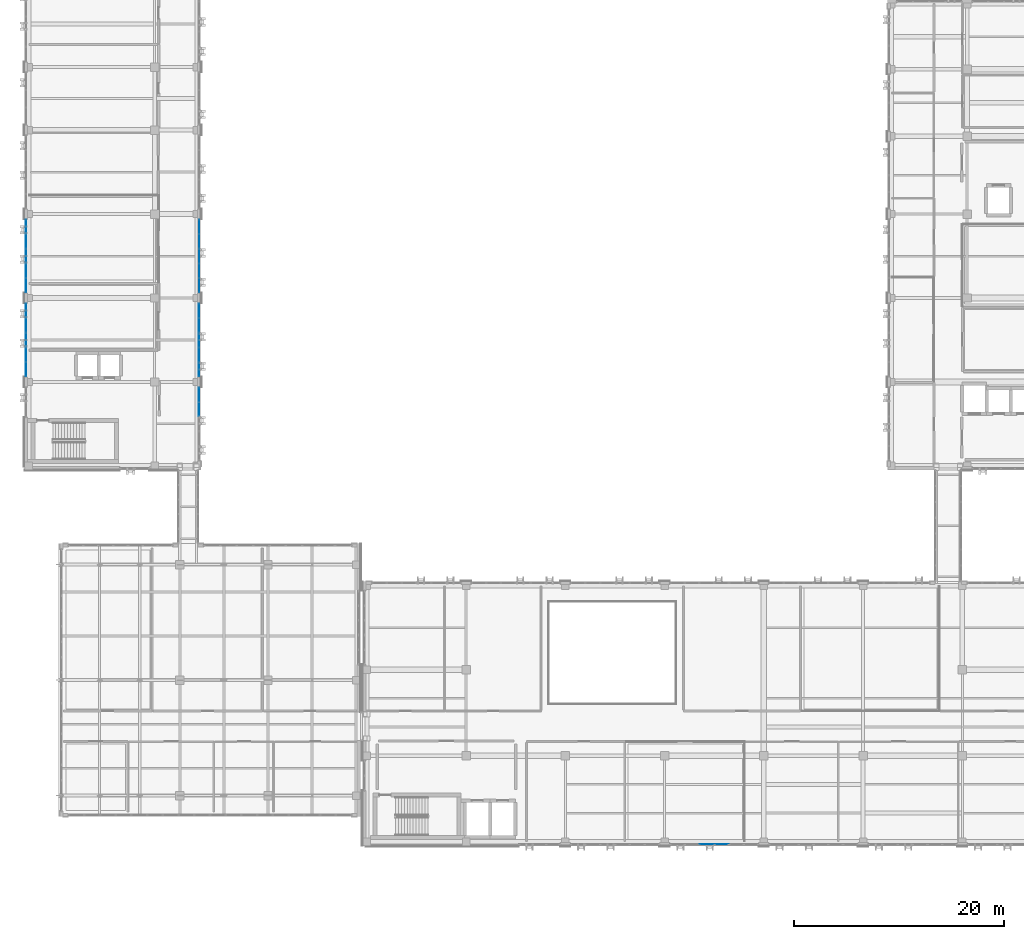
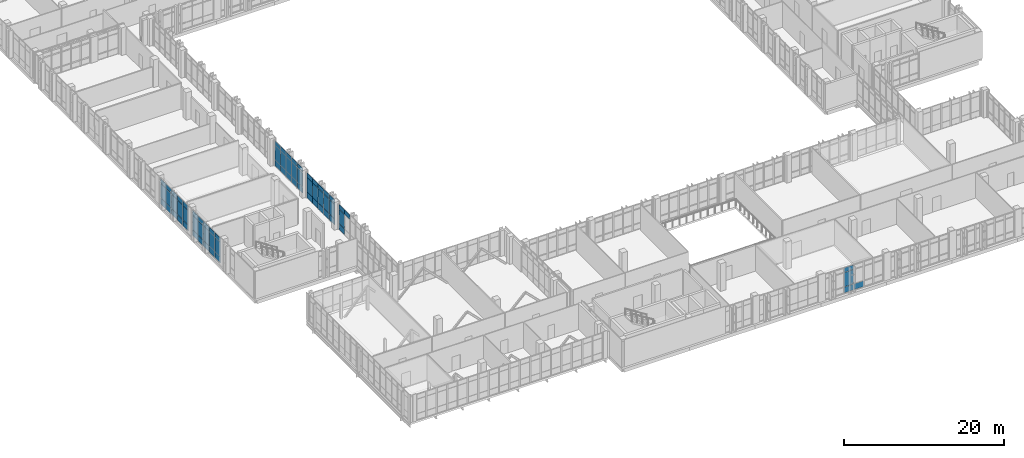
# One storey, part 135 of 193: 68 plates, 6 elements without a shape of their own.
"""IFC4 building model written with IfcOpenShell, lengths in metres."""

from ifc_helpers import new_model, si_unit, direction, frame, origin, origin_2d, place, context, subcontext, project, spatial, rectangle, extrude, material, layer, layer_set, type_object, element, aggregate, save


model = new_model("IFC4")

# Units and contexts
model_context = context("Model", 3, precision=1e-05, world=origin(), true_north=direction((0.0, 1.0)))
body_context = subcontext(model_context, "Body", "Model", "MODEL_VIEW")
ifc_project = project(units=[si_unit("LENGTHUNIT", "METRE"), si_unit("AREAUNIT", "SQUARE_METRE"), si_unit("VOLUMEUNIT", "CUBIC_METRE"), si_unit("PLANEANGLEUNIT", "RADIAN"), si_unit("MASSUNIT", "GRAM", prefix="KILO")], contexts=[model_context])

# Site, building, storey
site_placement = place(None, origin())
site = spatial("IfcSite", under=ifc_project, at=site_placement, CompositionType="ELEMENT")
building_placement = place(site_placement, origin())
building = spatial("IfcBuilding", under=site, at=building_placement, Name="Qalavern Law Courts", CompositionType="ELEMENT")
storey_placement = place(building_placement, frame((0.0, 0.0, 10.199951171875)))
storey = spatial("IfcBuildingStorey", under=building, at=storey_placement, Name="L02", CompositionType="ELEMENT", Elevation=10.199951171875)

# Curtain wall, plates
ifc_material_1 = material(Name="Anodised aluminium and insulated glazing", Category="aluminium")
ifc_layer_1 = layer(ifc_material_1, 0.18505859375)
ifc_layer_set_1 = layer_set([ifc_layer_1], Name="Anodised aluminium and insulated glazing")
curtain_wall_type_1 = type_object("IfcCurtainWallType", Name="ENV-CW-HALL", PredefinedType="USERDEFINED", material=ifc_layer_set_1)
curtain_wall_1_placement = place(storey_placement, origin())
curtain_wall_1 = element("IfcCurtainWall", 1, at=curtain_wall_1_placement, inside=storey, type_object=curtain_wall_type_1, Name="V2 unitised curtain wall L02 south 3", ObjectType="UNITISED CURTAIN WALL", PredefinedType="USERDEFINED")
ifc_material_2 = material(Name="Insulated low-E acoustic glazing", Category="glass")
ifc_layer_2 = layer(ifc_material_2, 0.02392578125)
ifc_layer_set_2 = layer_set([ifc_layer_2], Name="Insulated low-E acoustic glazing")
plate_type_1 = type_object("IfcPlateType", Name="ENV-CWP-24", PredefinedType="CURTAIN_PANEL", material=ifc_layer_set_2)
plate_1_placement = place(storey_placement, frame((67.00537109375, 5.35498046875, 0.048095703125), z_axis=(0.0, 0.0, 1.0), x_axis=(1.0, 0.0, 0.0)))
plate_1 = element("IfcPlate", 2, at=plate_1_placement, type_object=plate_type_1, Name="CW-02 panel 3.1", PredefinedType="CURTAIN_PANEL", context=body_context, shape_type="SweptSolid", body=[
    extrude(rectangle(XDim=1.361083984375, YDim=0.02392578125, at=origin_2d()), origin(), (0.0, 0.0, 1.0), 0.8779296875),
])
plate_2_placement = place(storey_placement, frame((67.00537109375, 5.35498046875, 0.97412109375), z_axis=(0.0, 0.0, 1.0), x_axis=(1.0, 0.0, 0.0)))
plate_2 = element("IfcPlate", 3, at=plate_2_placement, type_object=plate_type_1, Name="CW-02 panel 3.2", PredefinedType="CURTAIN_PANEL", context=body_context, shape_type="SweptSolid", body=[
    extrude(rectangle(XDim=1.361083984375, YDim=0.02392578125, at=origin_2d()), origin(), (0.0, 0.0, 1.0), 2.1669921875),
])
plate_3_placement = place(storey_placement, frame((67.00537109375, 5.35498046875, 3.18896484375), z_axis=(0.0, 0.0, 1.0), x_axis=(1.0, 0.0, 0.0)))
plate_3 = element("IfcPlate", 4, at=plate_3_placement, type_object=plate_type_1, Name="CW-02 panel 3.3", PredefinedType="CURTAIN_PANEL", context=body_context, shape_type="SweptSolid", body=[
    extrude(rectangle(XDim=1.361083984375, YDim=0.02392578125, at=origin_2d()), origin(), (0.0, 0.0, 1.0), 0.677978515625),
])
plate_4_placement = place(storey_placement, frame((68.41455078125, 5.35498046875, 0.048095703125), z_axis=(0.0, 0.0, 1.0), x_axis=(1.0, 0.0, 0.0)))
plate_4 = element("IfcPlate", 5, at=plate_4_placement, type_object=plate_type_1, Name="CW-02 panel 4.1", PredefinedType="CURTAIN_PANEL", context=body_context, shape_type="SweptSolid", body=[
    extrude(rectangle(XDim=1.361083984375, YDim=0.02392578125, at=origin_2d()), origin(), (0.0, 0.0, 1.0), 0.8779296875),
])
aggregate(curtain_wall_1, [plate_1, plate_2, plate_3, plate_4])

ifc_layer_3 = layer(ifc_material_1, 0.172119140625)
ifc_layer_set_3 = layer_set([ifc_layer_3], Name="Anodised aluminium and insulated glazing")
curtain_wall_type_2 = type_object("IfcCurtainWallType", Name="ENV-CW-COURT", PredefinedType="USERDEFINED", material=ifc_layer_set_3)
curtain_wall_2_placement = place(storey_placement, origin())
curtain_wall_2 = element("IfcCurtainWall", 6, at=curtain_wall_2_placement, inside=storey, type_object=curtain_wall_type_2, Name="V3 unitised curtain wall L02 east 3", ObjectType="UNITISED CURTAIN WALL", PredefinedType="USERDEFINED")
plate_5_placement = place(storey_placement, frame((18.64501953125, 58.612060546875, 0.048095703125), z_axis=(0.0, 0.0, 1.0), x_axis=(0.0, 1.0, 0.0)))
plate_5 = element("IfcPlate", 7, at=plate_5_placement, type_object=plate_type_1, Name="CW-03 panel 1.1", PredefinedType="CURTAIN_PANEL", context=body_context, shape_type="SweptSolid", body=[
    extrude(rectangle(XDim=1.327880859375, YDim=0.02392578125, at=origin_2d()), origin(), (0.0, 0.0, 1.0), 0.8779296875),
])
plate_6_placement = place(storey_placement, frame((18.64501953125, 58.612060546875, 0.97412109375), z_axis=(0.0, 0.0, 1.0), x_axis=(0.0, 1.0, 0.0)))
plate_6 = element("IfcPlate", 8, at=plate_6_placement, type_object=plate_type_1, Name="CW-03 panel 1.2", PredefinedType="CURTAIN_PANEL", context=body_context, shape_type="SweptSolid", body=[
    extrude(rectangle(XDim=1.327880859375, YDim=0.02392578125, at=origin_2d()), origin(), (0.0, 0.0, 1.0), 2.1669921875),
])
plate_7_placement = place(storey_placement, frame((18.64501953125, 58.612060546875, 3.18896484375), z_axis=(0.0, 0.0, 1.0), x_axis=(0.0, 1.0, 0.0)))
plate_7 = element("IfcPlate", 9, at=plate_7_placement, type_object=plate_type_1, Name="CW-03 panel 1.3", PredefinedType="CURTAIN_PANEL", context=body_context, shape_type="SweptSolid", body=[
    extrude(rectangle(XDim=1.327880859375, YDim=0.02392578125, at=origin_2d()), origin(), (0.0, 0.0, 1.0), 0.677978515625),
])
plate_8_placement = place(storey_placement, frame((18.64501953125, 60.0, 0.048095703125), z_axis=(0.0, 0.0, 1.0), x_axis=(0.0, 1.0, 0.0)))
plate_8 = element("IfcPlate", 10, at=plate_8_placement, type_object=plate_type_1, Name="CW-03 panel 2.1", PredefinedType="CURTAIN_PANEL", context=body_context, shape_type="SweptSolid", body=[
    extrude(rectangle(XDim=1.35205078125, YDim=0.02392578125, at=origin_2d()), origin(), (0.0, 0.0, 1.0), 0.8779296875),
])
plate_9_placement = place(storey_placement, frame((18.64501953125, 60.0, 0.97412109375), z_axis=(0.0, 0.0, 1.0), x_axis=(0.0, 1.0, 0.0)))
plate_9 = element("IfcPlate", 11, at=plate_9_placement, type_object=plate_type_1, Name="CW-03 panel 2.2", PredefinedType="CURTAIN_PANEL", context=body_context, shape_type="SweptSolid", body=[
    extrude(rectangle(XDim=1.35205078125, YDim=0.02392578125, at=origin_2d()), origin(), (0.0, 0.0, 1.0), 2.1669921875),
])
plate_10_placement = place(storey_placement, frame((18.64501953125, 60.0, 3.18896484375), z_axis=(0.0, 0.0, 1.0), x_axis=(0.0, 1.0, 0.0)))
plate_10 = element("IfcPlate", 12, at=plate_10_placement, type_object=plate_type_1, Name="CW-03 panel 2.3", PredefinedType="CURTAIN_PANEL", context=body_context, shape_type="SweptSolid", body=[
    extrude(rectangle(XDim=1.35205078125, YDim=0.02392578125, at=origin_2d()), origin(), (0.0, 0.0, 1.0), 0.677978515625),
])
plate_11_placement = place(storey_placement, frame((18.64501953125, 61.39990234375, 0.048095703125), z_axis=(0.0, 0.0, 1.0), x_axis=(0.0, 1.0, 0.0)))
plate_11 = element("IfcPlate", 13, at=plate_11_placement, type_object=plate_type_1, Name="CW-03 panel 3.1", PredefinedType="CURTAIN_PANEL", context=body_context, shape_type="SweptSolid", body=[
    extrude(rectangle(XDim=1.35205078125, YDim=0.02392578125, at=origin_2d()), origin(), (0.0, 0.0, 1.0), 0.8779296875),
])
plate_12_placement = place(storey_placement, frame((18.64501953125, 61.39990234375, 0.97412109375), z_axis=(0.0, 0.0, 1.0), x_axis=(0.0, 1.0, 0.0)))
plate_12 = element("IfcPlate", 14, at=plate_12_placement, type_object=plate_type_1, Name="CW-03 panel 3.2", PredefinedType="CURTAIN_PANEL", context=body_context, shape_type="SweptSolid", body=[
    extrude(rectangle(XDim=1.35205078125, YDim=0.02392578125, at=origin_2d()), origin(), (0.0, 0.0, 1.0), 2.1669921875),
])
plate_13_placement = place(storey_placement, frame((18.64501953125, 61.39990234375, 3.18896484375), z_axis=(0.0, 0.0, 1.0), x_axis=(0.0, 1.0, 0.0)))
plate_13 = element("IfcPlate", 15, at=plate_13_placement, type_object=plate_type_1, Name="CW-03 panel 3.3", PredefinedType="CURTAIN_PANEL", context=body_context, shape_type="SweptSolid", body=[
    extrude(rectangle(XDim=1.35205078125, YDim=0.02392578125, at=origin_2d()), origin(), (0.0, 0.0, 1.0), 0.677978515625),
])
plate_14_placement = place(storey_placement, frame((18.64501953125, 62.800048828125, 0.048095703125), z_axis=(0.0, 0.0, 1.0), x_axis=(0.0, 1.0, 0.0)))
plate_14 = element("IfcPlate", 16, at=plate_14_placement, type_object=plate_type_1, Name="CW-03 panel 4.1", PredefinedType="CURTAIN_PANEL", context=body_context, shape_type="SweptSolid", body=[
    extrude(rectangle(XDim=1.35205078125, YDim=0.02392578125, at=origin_2d()), origin(), (0.0, 0.0, 1.0), 0.8779296875),
])
plate_15_placement = place(storey_placement, frame((18.64501953125, 62.800048828125, 0.97412109375), z_axis=(0.0, 0.0, 1.0), x_axis=(0.0, 1.0, 0.0)))
plate_15 = element("IfcPlate", 17, at=plate_15_placement, type_object=plate_type_1, Name="CW-03 panel 4.2", PredefinedType="CURTAIN_PANEL", context=body_context, shape_type="SweptSolid", body=[
    extrude(rectangle(XDim=1.35205078125, YDim=0.02392578125, at=origin_2d()), origin(), (0.0, 0.0, 1.0), 2.1669921875),
])
plate_16_placement = place(storey_placement, frame((18.64501953125, 62.800048828125, 3.18896484375), z_axis=(0.0, 0.0, 1.0), x_axis=(0.0, 1.0, 0.0)))
plate_16 = element("IfcPlate", 18, at=plate_16_placement, type_object=plate_type_1, Name="CW-03 panel 4.3", PredefinedType="CURTAIN_PANEL", context=body_context, shape_type="SweptSolid", body=[
    extrude(rectangle(XDim=1.35205078125, YDim=0.02392578125, at=origin_2d()), origin(), (0.0, 0.0, 1.0), 0.677978515625),
])
plate_17_placement = place(storey_placement, frame((18.64501953125, 64.18798828125, 0.048095703125), z_axis=(0.0, 0.0, 1.0), x_axis=(0.0, 1.0, 0.0)))
plate_17 = element("IfcPlate", 19, at=plate_17_placement, type_object=plate_type_1, Name="CW-03 panel 5.1", PredefinedType="CURTAIN_PANEL", context=body_context, shape_type="SweptSolid", body=[
    extrude(rectangle(XDim=1.327880859375, YDim=0.02392578125, at=origin_2d()), origin(), (0.0, 0.0, 1.0), 0.8779296875),
])
plate_18_placement = place(storey_placement, frame((18.64501953125, 64.18798828125, 0.97412109375), z_axis=(0.0, 0.0, 1.0), x_axis=(0.0, 1.0, 0.0)))
plate_18 = element("IfcPlate", 20, at=plate_18_placement, type_object=plate_type_1, Name="CW-03 panel 5.2", PredefinedType="CURTAIN_PANEL", context=body_context, shape_type="SweptSolid", body=[
    extrude(rectangle(XDim=1.327880859375, YDim=0.02392578125, at=origin_2d()), origin(), (0.0, 0.0, 1.0), 2.1669921875),
])
plate_19_placement = place(storey_placement, frame((18.64501953125, 64.18798828125, 3.18896484375), z_axis=(0.0, 0.0, 1.0), x_axis=(0.0, 1.0, 0.0)))
plate_19 = element("IfcPlate", 21, at=plate_19_placement, type_object=plate_type_1, Name="CW-03 panel 5.3", PredefinedType="CURTAIN_PANEL", context=body_context, shape_type="SweptSolid", body=[
    extrude(rectangle(XDim=1.327880859375, YDim=0.02392578125, at=origin_2d()), origin(), (0.0, 0.0, 1.0), 0.677978515625),
])
aggregate(curtain_wall_2, [plate_5, plate_6, plate_7, plate_8, plate_9, plate_10, plate_11, plate_12, plate_13, plate_14, plate_15, plate_16, plate_17, plate_18, plate_19])

curtain_wall_3_placement = place(storey_placement, origin())
curtain_wall_3 = element("IfcCurtainWall", 22, at=curtain_wall_3_placement, inside=storey, type_object=curtain_wall_type_2, Name="V3 unitised curtain wall L02 west 5", ObjectType="UNITISED CURTAIN WALL", PredefinedType="USERDEFINED")
ifc_layer_4 = layer(ifc_material_2, 0.031982421875)
ifc_layer_set_4 = layer_set([ifc_layer_4], Name="Insulated low-E acoustic glazing")
plate_type_2 = type_object("IfcPlateType", Name="ENV-CWP-32", PredefinedType="CURTAIN_PANEL", material=ifc_layer_set_4)
plate_20_placement = place(storey_placement, frame((2.155029296875, 64.18798828125, 0.048095703125), z_axis=(0.0, 0.0, 1.0), x_axis=(0.0, -1.0, 0.0)))
plate_20 = element("IfcPlate", 23, at=plate_20_placement, type_object=plate_type_2, Name="CW-03 panel 1.1", PredefinedType="CURTAIN_PANEL", context=body_context, shape_type="SweptSolid", body=[
    extrude(rectangle(XDim=1.327880859375, YDim=0.031982421875, at=origin_2d()), origin(), (0.0, 0.0, 1.0), 0.8779296875),
])
plate_21_placement = place(storey_placement, frame((2.155029296875, 64.18798828125, 0.97412109375), z_axis=(0.0, 0.0, 1.0), x_axis=(0.0, -1.0, 0.0)))
plate_21 = element("IfcPlate", 24, at=plate_21_placement, type_object=plate_type_2, Name="CW-03 panel 1.2", PredefinedType="CURTAIN_PANEL", context=body_context, shape_type="SweptSolid", body=[
    extrude(rectangle(XDim=1.327880859375, YDim=0.031982421875, at=origin_2d()), origin(), (0.0, 0.0, 1.0), 2.1669921875),
])
plate_22_placement = place(storey_placement, frame((2.155029296875, 64.18798828125, 3.18896484375), z_axis=(0.0, 0.0, 1.0), x_axis=(0.0, -1.0, 0.0)))
plate_22 = element("IfcPlate", 25, at=plate_22_placement, type_object=plate_type_2, Name="CW-03 panel 1.3", PredefinedType="CURTAIN_PANEL", context=body_context, shape_type="SweptSolid", body=[
    extrude(rectangle(XDim=1.327880859375, YDim=0.031982421875, at=origin_2d()), origin(), (0.0, 0.0, 1.0), 0.677978515625),
])
plate_23_placement = place(storey_placement, frame((2.155029296875, 62.800048828125, 0.048095703125), z_axis=(0.0, 0.0, 1.0), x_axis=(0.0, -1.0, 0.0)))
plate_23 = element("IfcPlate", 26, at=plate_23_placement, type_object=plate_type_2, Name="CW-03 panel 2.1", PredefinedType="CURTAIN_PANEL", context=body_context, shape_type="SweptSolid", body=[
    extrude(rectangle(XDim=1.35205078125, YDim=0.031982421875, at=origin_2d()), origin(), (0.0, 0.0, 1.0), 0.8779296875),
])
plate_24_placement = place(storey_placement, frame((2.155029296875, 62.800048828125, 0.97412109375), z_axis=(0.0, 0.0, 1.0), x_axis=(0.0, -1.0, 0.0)))
plate_24 = element("IfcPlate", 27, at=plate_24_placement, type_object=plate_type_2, Name="CW-03 panel 2.2", PredefinedType="CURTAIN_PANEL", context=body_context, shape_type="SweptSolid", body=[
    extrude(rectangle(XDim=1.35205078125, YDim=0.031982421875, at=origin_2d()), origin(), (0.0, 0.0, 1.0), 2.1669921875),
])
plate_25_placement = place(storey_placement, frame((2.155029296875, 62.800048828125, 3.18896484375), z_axis=(0.0, 0.0, 1.0), x_axis=(0.0, -1.0, 0.0)))
plate_25 = element("IfcPlate", 28, at=plate_25_placement, type_object=plate_type_2, Name="CW-03 panel 2.3", PredefinedType="CURTAIN_PANEL", context=body_context, shape_type="SweptSolid", body=[
    extrude(rectangle(XDim=1.35205078125, YDim=0.031982421875, at=origin_2d()), origin(), (0.0, 0.0, 1.0), 0.677978515625),
])
plate_26_placement = place(storey_placement, frame((2.155029296875, 61.39990234375, 0.048095703125), z_axis=(0.0, 0.0, 1.0), x_axis=(0.0, -1.0, 0.0)))
plate_26 = element("IfcPlate", 29, at=plate_26_placement, type_object=plate_type_2, Name="CW-03 panel 3.1", PredefinedType="CURTAIN_PANEL", context=body_context, shape_type="SweptSolid", body=[
    extrude(rectangle(XDim=1.35205078125, YDim=0.031982421875, at=origin_2d()), origin(), (0.0, 0.0, 1.0), 0.8779296875),
])
plate_27_placement = place(storey_placement, frame((2.155029296875, 61.39990234375, 0.97412109375), z_axis=(0.0, 0.0, 1.0), x_axis=(0.0, -1.0, 0.0)))
plate_27 = element("IfcPlate", 30, at=plate_27_placement, type_object=plate_type_2, Name="CW-03 panel 3.2", PredefinedType="CURTAIN_PANEL", context=body_context, shape_type="SweptSolid", body=[
    extrude(rectangle(XDim=1.35205078125, YDim=0.031982421875, at=origin_2d()), origin(), (0.0, 0.0, 1.0), 2.1669921875),
])
plate_28_placement = place(storey_placement, frame((2.155029296875, 61.39990234375, 3.18896484375), z_axis=(0.0, 0.0, 1.0), x_axis=(0.0, -1.0, 0.0)))
plate_28 = element("IfcPlate", 31, at=plate_28_placement, type_object=plate_type_2, Name="CW-03 panel 3.3", PredefinedType="CURTAIN_PANEL", context=body_context, shape_type="SweptSolid", body=[
    extrude(rectangle(XDim=1.35205078125, YDim=0.031982421875, at=origin_2d()), origin(), (0.0, 0.0, 1.0), 0.677978515625),
])
plate_29_placement = place(storey_placement, frame((2.155029296875, 60.0, 0.048095703125), z_axis=(0.0, 0.0, 1.0), x_axis=(0.0, -1.0, 0.0)))
plate_29 = element("IfcPlate", 32, at=plate_29_placement, type_object=plate_type_2, Name="CW-03 panel 4.1", PredefinedType="CURTAIN_PANEL", context=body_context, shape_type="SweptSolid", body=[
    extrude(rectangle(XDim=1.35205078125, YDim=0.031982421875, at=origin_2d()), origin(), (0.0, 0.0, 1.0), 0.8779296875),
])
plate_30_placement = place(storey_placement, frame((2.155029296875, 60.0, 0.97412109375), z_axis=(0.0, 0.0, 1.0), x_axis=(0.0, -1.0, 0.0)))
plate_30 = element("IfcPlate", 33, at=plate_30_placement, type_object=plate_type_2, Name="CW-03 panel 4.2", PredefinedType="CURTAIN_PANEL", context=body_context, shape_type="SweptSolid", body=[
    extrude(rectangle(XDim=1.35205078125, YDim=0.031982421875, at=origin_2d()), origin(), (0.0, 0.0, 1.0), 2.1669921875),
])
plate_31_placement = place(storey_placement, frame((2.155029296875, 60.0, 3.18896484375), z_axis=(0.0, 0.0, 1.0), x_axis=(0.0, -1.0, 0.0)))
plate_31 = element("IfcPlate", 34, at=plate_31_placement, type_object=plate_type_2, Name="CW-03 panel 4.3", PredefinedType="CURTAIN_PANEL", context=body_context, shape_type="SweptSolid", body=[
    extrude(rectangle(XDim=1.35205078125, YDim=0.031982421875, at=origin_2d()), origin(), (0.0, 0.0, 1.0), 0.677978515625),
])
plate_32_placement = place(storey_placement, frame((2.155029296875, 58.612060546875, 0.048095703125), z_axis=(0.0, 0.0, 1.0), x_axis=(0.0, -1.0, 0.0)))
plate_32 = element("IfcPlate", 35, at=plate_32_placement, type_object=plate_type_2, Name="CW-03 panel 5.1", PredefinedType="CURTAIN_PANEL", context=body_context, shape_type="SweptSolid", body=[
    extrude(rectangle(XDim=1.327880859375, YDim=0.031982421875, at=origin_2d()), origin(), (0.0, 0.0, 1.0), 0.8779296875),
])
plate_33_placement = place(storey_placement, frame((2.155029296875, 58.612060546875, 0.97412109375), z_axis=(0.0, 0.0, 1.0), x_axis=(0.0, -1.0, 0.0)))
plate_33 = element("IfcPlate", 36, at=plate_33_placement, type_object=plate_type_2, Name="CW-03 panel 5.2", PredefinedType="CURTAIN_PANEL", context=body_context, shape_type="SweptSolid", body=[
    extrude(rectangle(XDim=1.327880859375, YDim=0.031982421875, at=origin_2d()), origin(), (0.0, 0.0, 1.0), 2.1669921875),
])
plate_34_placement = place(storey_placement, frame((2.155029296875, 58.612060546875, 3.18896484375), z_axis=(0.0, 0.0, 1.0), x_axis=(0.0, -1.0, 0.0)))
plate_34 = element("IfcPlate", 37, at=plate_34_placement, type_object=plate_type_2, Name="CW-03 panel 5.3", PredefinedType="CURTAIN_PANEL", context=body_context, shape_type="SweptSolid", body=[
    extrude(rectangle(XDim=1.327880859375, YDim=0.031982421875, at=origin_2d()), origin(), (0.0, 0.0, 1.0), 0.677978515625),
])
aggregate(curtain_wall_3, [plate_20, plate_21, plate_22, plate_23, plate_24, plate_25, plate_26, plate_27, plate_28, plate_29, plate_30, plate_31, plate_32, plate_33, plate_34])

curtain_wall_4_placement = place(storey_placement, origin())
curtain_wall_4 = element("IfcCurtainWall", 38, at=curtain_wall_4_placement, inside=storey, type_object=curtain_wall_type_2, Name="V3 unitised curtain wall L02 west 6", ObjectType="UNITISED CURTAIN WALL", PredefinedType="USERDEFINED")
ifc_layer_5 = layer(ifc_material_2, 0.035888671875)
ifc_layer_set_5 = layer_set([ifc_layer_5], Name="Insulated low-E acoustic glazing")
plate_type_3 = type_object("IfcPlateType", Name="ENV-CWP-36", PredefinedType="CURTAIN_PANEL", material=ifc_layer_set_5)
plate_35_placement = place(storey_placement, frame((2.155029296875, 56.18798828125, 0.048095703125), z_axis=(0.0, 0.0, 1.0), x_axis=(0.0, -1.0, 0.0)))
plate_35 = element("IfcPlate", 39, at=plate_35_placement, type_object=plate_type_3, Name="CW-03 panel 1.1", PredefinedType="CURTAIN_PANEL", context=body_context, shape_type="SweptSolid", body=[
    extrude(rectangle(XDim=1.327880859375, YDim=0.035888671875, at=origin_2d()), origin(), (0.0, 0.0, 1.0), 0.8779296875),
])
plate_36_placement = place(storey_placement, frame((2.155029296875, 56.18798828125, 0.97412109375), z_axis=(0.0, 0.0, 1.0), x_axis=(0.0, -1.0, 0.0)))
plate_36 = element("IfcPlate", 40, at=plate_36_placement, type_object=plate_type_3, Name="CW-03 panel 1.2", PredefinedType="CURTAIN_PANEL", context=body_context, shape_type="SweptSolid", body=[
    extrude(rectangle(XDim=1.327880859375, YDim=0.035888671875, at=origin_2d()), origin(), (0.0, 0.0, 1.0), 2.1669921875),
])
plate_37_placement = place(storey_placement, frame((2.155029296875, 56.18798828125, 3.18896484375), z_axis=(0.0, 0.0, 1.0), x_axis=(0.0, -1.0, 0.0)))
plate_37 = element("IfcPlate", 41, at=plate_37_placement, type_object=plate_type_3, Name="CW-03 panel 1.3", PredefinedType="CURTAIN_PANEL", context=body_context, shape_type="SweptSolid", body=[
    extrude(rectangle(XDim=1.327880859375, YDim=0.035888671875, at=origin_2d()), origin(), (0.0, 0.0, 1.0), 0.677978515625),
])
plate_38_placement = place(storey_placement, frame((2.155029296875, 54.800048828125, 0.048095703125), z_axis=(0.0, 0.0, 1.0), x_axis=(0.0, -1.0, 0.0)))
plate_38 = element("IfcPlate", 42, at=plate_38_placement, type_object=plate_type_3, Name="CW-03 panel 2.1", PredefinedType="CURTAIN_PANEL", context=body_context, shape_type="SweptSolid", body=[
    extrude(rectangle(XDim=1.35205078125, YDim=0.035888671875, at=origin_2d()), origin(), (0.0, 0.0, 1.0), 0.8779296875),
])
plate_39_placement = place(storey_placement, frame((2.155029296875, 54.800048828125, 0.97412109375), z_axis=(0.0, 0.0, 1.0), x_axis=(0.0, -1.0, 0.0)))
plate_39 = element("IfcPlate", 43, at=plate_39_placement, type_object=plate_type_3, Name="CW-03 panel 2.2", PredefinedType="CURTAIN_PANEL", context=body_context, shape_type="SweptSolid", body=[
    extrude(rectangle(XDim=1.35205078125, YDim=0.035888671875, at=origin_2d()), origin(), (0.0, 0.0, 1.0), 2.1669921875),
])
plate_40_placement = place(storey_placement, frame((2.155029296875, 54.800048828125, 3.18896484375), z_axis=(0.0, 0.0, 1.0), x_axis=(0.0, -1.0, 0.0)))
plate_40 = element("IfcPlate", 44, at=plate_40_placement, type_object=plate_type_3, Name="CW-03 panel 2.3", PredefinedType="CURTAIN_PANEL", context=body_context, shape_type="SweptSolid", body=[
    extrude(rectangle(XDim=1.35205078125, YDim=0.035888671875, at=origin_2d()), origin(), (0.0, 0.0, 1.0), 0.677978515625),
])
plate_41_placement = place(storey_placement, frame((2.155029296875, 53.39990234375, 0.048095703125), z_axis=(0.0, 0.0, 1.0), x_axis=(0.0, -1.0, 0.0)))
plate_41 = element("IfcPlate", 45, at=plate_41_placement, type_object=plate_type_3, Name="CW-03 panel 3.1", PredefinedType="CURTAIN_PANEL", context=body_context, shape_type="SweptSolid", body=[
    extrude(rectangle(XDim=1.35205078125, YDim=0.035888671875, at=origin_2d()), origin(), (0.0, 0.0, 1.0), 0.8779296875),
])
plate_42_placement = place(storey_placement, frame((2.155029296875, 53.39990234375, 0.97412109375), z_axis=(0.0, 0.0, 1.0), x_axis=(0.0, -1.0, 0.0)))
plate_42 = element("IfcPlate", 46, at=plate_42_placement, type_object=plate_type_3, Name="CW-03 panel 3.2", PredefinedType="CURTAIN_PANEL", context=body_context, shape_type="SweptSolid", body=[
    extrude(rectangle(XDim=1.35205078125, YDim=0.035888671875, at=origin_2d()), origin(), (0.0, 0.0, 1.0), 2.1669921875),
])
plate_43_placement = place(storey_placement, frame((2.155029296875, 53.39990234375, 3.18896484375), z_axis=(0.0, 0.0, 1.0), x_axis=(0.0, -1.0, 0.0)))
plate_43 = element("IfcPlate", 47, at=plate_43_placement, type_object=plate_type_3, Name="CW-03 panel 3.3", PredefinedType="CURTAIN_PANEL", context=body_context, shape_type="SweptSolid", body=[
    extrude(rectangle(XDim=1.35205078125, YDim=0.035888671875, at=origin_2d()), origin(), (0.0, 0.0, 1.0), 0.677978515625),
])
plate_44_placement = place(storey_placement, frame((2.155029296875, 52.0, 0.048095703125), z_axis=(0.0, 0.0, 1.0), x_axis=(0.0, -1.0, 0.0)))
plate_44 = element("IfcPlate", 48, at=plate_44_placement, type_object=plate_type_3, Name="CW-03 panel 4.1", PredefinedType="CURTAIN_PANEL", context=body_context, shape_type="SweptSolid", body=[
    extrude(rectangle(XDim=1.35205078125, YDim=0.035888671875, at=origin_2d()), origin(), (0.0, 0.0, 1.0), 0.8779296875),
])
plate_45_placement = place(storey_placement, frame((2.155029296875, 52.0, 0.97412109375), z_axis=(0.0, 0.0, 1.0), x_axis=(0.0, -1.0, 0.0)))
plate_45 = element("IfcPlate", 49, at=plate_45_placement, type_object=plate_type_3, Name="CW-03 panel 4.2", PredefinedType="CURTAIN_PANEL", context=body_context, shape_type="SweptSolid", body=[
    extrude(rectangle(XDim=1.35205078125, YDim=0.035888671875, at=origin_2d()), origin(), (0.0, 0.0, 1.0), 2.1669921875),
])
plate_46_placement = place(storey_placement, frame((2.155029296875, 52.0, 3.18896484375), z_axis=(0.0, 0.0, 1.0), x_axis=(0.0, -1.0, 0.0)))
plate_46 = element("IfcPlate", 50, at=plate_46_placement, type_object=plate_type_3, Name="CW-03 panel 4.3", PredefinedType="CURTAIN_PANEL", context=body_context, shape_type="SweptSolid", body=[
    extrude(rectangle(XDim=1.35205078125, YDim=0.035888671875, at=origin_2d()), origin(), (0.0, 0.0, 1.0), 0.677978515625),
])
plate_47_placement = place(storey_placement, frame((2.155029296875, 50.612060546875, 0.048095703125), z_axis=(0.0, 0.0, 1.0), x_axis=(0.0, -1.0, 0.0)))
plate_47 = element("IfcPlate", 51, at=plate_47_placement, type_object=plate_type_3, Name="CW-03 panel 5.1", PredefinedType="CURTAIN_PANEL", context=body_context, shape_type="SweptSolid", body=[
    extrude(rectangle(XDim=1.327880859375, YDim=0.035888671875, at=origin_2d()), origin(), (0.0, 0.0, 1.0), 0.8779296875),
])
plate_48_placement = place(storey_placement, frame((2.155029296875, 50.612060546875, 0.97412109375), z_axis=(0.0, 0.0, 1.0), x_axis=(0.0, -1.0, 0.0)))
plate_48 = element("IfcPlate", 52, at=plate_48_placement, type_object=plate_type_3, Name="CW-03 panel 5.2", PredefinedType="CURTAIN_PANEL", context=body_context, shape_type="SweptSolid", body=[
    extrude(rectangle(XDim=1.327880859375, YDim=0.035888671875, at=origin_2d()), origin(), (0.0, 0.0, 1.0), 2.1669921875),
])
plate_49_placement = place(storey_placement, frame((2.155029296875, 50.612060546875, 3.18896484375), z_axis=(0.0, 0.0, 1.0), x_axis=(0.0, -1.0, 0.0)))
plate_49 = element("IfcPlate", 53, at=plate_49_placement, type_object=plate_type_3, Name="CW-03 panel 5.3", PredefinedType="CURTAIN_PANEL", context=body_context, shape_type="SweptSolid", body=[
    extrude(rectangle(XDim=1.327880859375, YDim=0.035888671875, at=origin_2d()), origin(), (0.0, 0.0, 1.0), 0.677978515625),
])
aggregate(curtain_wall_4, [plate_35, plate_36, plate_37, plate_38, plate_39, plate_40, plate_41, plate_42, plate_43, plate_44, plate_45, plate_46, plate_47, plate_48, plate_49])

curtain_wall_5_placement = place(storey_placement, origin())
curtain_wall_5 = element("IfcCurtainWall", 54, at=curtain_wall_5_placement, inside=storey, type_object=curtain_wall_type_2, Name="V3 unitised curtain wall L02 east 1", ObjectType="UNITISED CURTAIN WALL", PredefinedType="USERDEFINED")
ifc_layer_6 = layer(ifc_material_2, 0.048095703125)
ifc_layer_set_6 = layer_set([ifc_layer_6], Name="Insulated low-E acoustic glazing")
plate_type_4 = type_object("IfcPlateType", Name="ENV-CWP-48", PredefinedType="CURTAIN_PANEL", material=ifc_layer_set_6)
plate_50_placement = place(storey_placement, frame((18.64501953125, 46.805908203125, 3.18896484375), z_axis=(0.0, 0.0, 1.0), x_axis=(0.0, 1.0, 0.0)))
plate_50 = element("IfcPlate", 55, at=plate_50_placement, type_object=plate_type_4, Name="CW-03 panel 4.3", PredefinedType="CURTAIN_PANEL", context=body_context, shape_type="SweptSolid", body=[
    extrude(rectangle(XDim=1.347900390625, YDim=0.048095703125, at=origin_2d()), origin(), (0.0, 0.0, 1.0), 0.677978515625),
])
plate_51_placement = place(storey_placement, frame((18.64501953125, 48.18994140625, 0.048095703125), z_axis=(0.0, 0.0, 1.0), x_axis=(0.0, 1.0, 0.0)))
plate_51 = element("IfcPlate", 56, at=plate_51_placement, type_object=plate_type_4, Name="CW-03 panel 5.1", PredefinedType="CURTAIN_PANEL", context=body_context, shape_type="SweptSolid", body=[
    extrude(rectangle(XDim=1.323974609375, YDim=0.048095703125, at=origin_2d()), origin(), (0.0, 0.0, 1.0), 0.8779296875),
])
plate_52_placement = place(storey_placement, frame((18.64501953125, 48.18994140625, 0.97412109375), z_axis=(0.0, 0.0, 1.0), x_axis=(0.0, 1.0, 0.0)))
plate_52 = element("IfcPlate", 57, at=plate_52_placement, type_object=plate_type_4, Name="CW-03 panel 5.2", PredefinedType="CURTAIN_PANEL", context=body_context, shape_type="SweptSolid", body=[
    extrude(rectangle(XDim=1.323974609375, YDim=0.048095703125, at=origin_2d()), origin(), (0.0, 0.0, 1.0), 2.1669921875),
])
plate_53_placement = place(storey_placement, frame((18.64501953125, 48.18994140625, 3.18896484375), z_axis=(0.0, 0.0, 1.0), x_axis=(0.0, 1.0, 0.0)))
plate_53 = element("IfcPlate", 58, at=plate_53_placement, type_object=plate_type_4, Name="CW-03 panel 5.3", PredefinedType="CURTAIN_PANEL", context=body_context, shape_type="SweptSolid", body=[
    extrude(rectangle(XDim=1.323974609375, YDim=0.048095703125, at=origin_2d()), origin(), (0.0, 0.0, 1.0), 0.677978515625),
])
aggregate(curtain_wall_5, [plate_50, plate_51, plate_52, plate_53])

curtain_wall_6_placement = place(storey_placement, origin())
curtain_wall_6 = element("IfcCurtainWall", 59, at=curtain_wall_6_placement, inside=storey, type_object=curtain_wall_type_2, Name="V3 unitised curtain wall L02 east 2", ObjectType="UNITISED CURTAIN WALL", PredefinedType="USERDEFINED")
ifc_layer_7 = layer(ifc_material_2, 0.052001953125)
ifc_layer_set_7 = layer_set([ifc_layer_7], Name="Insulated low-E acoustic glazing")
plate_type_5 = type_object("IfcPlateType", Name="ENV-CWP-52", PredefinedType="CURTAIN_PANEL", material=ifc_layer_set_7)
plate_54_placement = place(storey_placement, frame((18.64501953125, 50.612060546875, 0.048095703125), z_axis=(0.0, 0.0, 1.0), x_axis=(0.0, 1.0, 0.0)))
plate_54 = element("IfcPlate", 60, at=plate_54_placement, type_object=plate_type_5, Name="CW-03 panel 1.1", PredefinedType="CURTAIN_PANEL", context=body_context, shape_type="SweptSolid", body=[
    extrude(rectangle(XDim=1.327880859375, YDim=0.052001953125, at=origin_2d()), origin(), (0.0, 0.0, 1.0), 0.8779296875),
])
plate_55_placement = place(storey_placement, frame((18.64501953125, 50.612060546875, 0.97412109375), z_axis=(0.0, 0.0, 1.0), x_axis=(0.0, 1.0, 0.0)))
plate_55 = element("IfcPlate", 61, at=plate_55_placement, type_object=plate_type_5, Name="CW-03 panel 1.2", PredefinedType="CURTAIN_PANEL", context=body_context, shape_type="SweptSolid", body=[
    extrude(rectangle(XDim=1.327880859375, YDim=0.052001953125, at=origin_2d()), origin(), (0.0, 0.0, 1.0), 2.1669921875),
])
plate_56_placement = place(storey_placement, frame((18.64501953125, 50.612060546875, 3.18896484375), z_axis=(0.0, 0.0, 1.0), x_axis=(0.0, 1.0, 0.0)))
plate_56 = element("IfcPlate", 62, at=plate_56_placement, type_object=plate_type_5, Name="CW-03 panel 1.3", PredefinedType="CURTAIN_PANEL", context=body_context, shape_type="SweptSolid", body=[
    extrude(rectangle(XDim=1.327880859375, YDim=0.052001953125, at=origin_2d()), origin(), (0.0, 0.0, 1.0), 0.677978515625),
])
plate_57_placement = place(storey_placement, frame((18.64501953125, 52.0, 0.048095703125), z_axis=(0.0, 0.0, 1.0), x_axis=(0.0, 1.0, 0.0)))
plate_57 = element("IfcPlate", 63, at=plate_57_placement, type_object=plate_type_5, Name="CW-03 panel 2.1", PredefinedType="CURTAIN_PANEL", context=body_context, shape_type="SweptSolid", body=[
    extrude(rectangle(XDim=1.35205078125, YDim=0.052001953125, at=origin_2d()), origin(), (0.0, 0.0, 1.0), 0.8779296875),
])
plate_58_placement = place(storey_placement, frame((18.64501953125, 52.0, 0.97412109375), z_axis=(0.0, 0.0, 1.0), x_axis=(0.0, 1.0, 0.0)))
plate_58 = element("IfcPlate", 64, at=plate_58_placement, type_object=plate_type_5, Name="CW-03 panel 2.2", PredefinedType="CURTAIN_PANEL", context=body_context, shape_type="SweptSolid", body=[
    extrude(rectangle(XDim=1.35205078125, YDim=0.052001953125, at=origin_2d()), origin(), (0.0, 0.0, 1.0), 2.1669921875),
])
plate_59_placement = place(storey_placement, frame((18.64501953125, 52.0, 3.18896484375), z_axis=(0.0, 0.0, 1.0), x_axis=(0.0, 1.0, 0.0)))
plate_59 = element("IfcPlate", 65, at=plate_59_placement, type_object=plate_type_5, Name="CW-03 panel 2.3", PredefinedType="CURTAIN_PANEL", context=body_context, shape_type="SweptSolid", body=[
    extrude(rectangle(XDim=1.35205078125, YDim=0.052001953125, at=origin_2d()), origin(), (0.0, 0.0, 1.0), 0.677978515625),
])
plate_60_placement = place(storey_placement, frame((18.64501953125, 53.39990234375, 0.048095703125), z_axis=(0.0, 0.0, 1.0), x_axis=(0.0, 1.0, 0.0)))
plate_60 = element("IfcPlate", 66, at=plate_60_placement, type_object=plate_type_5, Name="CW-03 panel 3.1", PredefinedType="CURTAIN_PANEL", context=body_context, shape_type="SweptSolid", body=[
    extrude(rectangle(XDim=1.35205078125, YDim=0.052001953125, at=origin_2d()), origin(), (0.0, 0.0, 1.0), 0.8779296875),
])
plate_61_placement = place(storey_placement, frame((18.64501953125, 53.39990234375, 0.97412109375), z_axis=(0.0, 0.0, 1.0), x_axis=(0.0, 1.0, 0.0)))
plate_61 = element("IfcPlate", 67, at=plate_61_placement, type_object=plate_type_5, Name="CW-03 panel 3.2", PredefinedType="CURTAIN_PANEL", context=body_context, shape_type="SweptSolid", body=[
    extrude(rectangle(XDim=1.35205078125, YDim=0.052001953125, at=origin_2d()), origin(), (0.0, 0.0, 1.0), 2.1669921875),
])
plate_62_placement = place(storey_placement, frame((18.64501953125, 53.39990234375, 3.18896484375), z_axis=(0.0, 0.0, 1.0), x_axis=(0.0, 1.0, 0.0)))
plate_62 = element("IfcPlate", 68, at=plate_62_placement, type_object=plate_type_5, Name="CW-03 panel 3.3", PredefinedType="CURTAIN_PANEL", context=body_context, shape_type="SweptSolid", body=[
    extrude(rectangle(XDim=1.35205078125, YDim=0.052001953125, at=origin_2d()), origin(), (0.0, 0.0, 1.0), 0.677978515625),
])
plate_63_placement = place(storey_placement, frame((18.64501953125, 54.800048828125, 0.048095703125), z_axis=(0.0, 0.0, 1.0), x_axis=(0.0, 1.0, 0.0)))
plate_63 = element("IfcPlate", 69, at=plate_63_placement, type_object=plate_type_5, Name="CW-03 panel 4.1", PredefinedType="CURTAIN_PANEL", context=body_context, shape_type="SweptSolid", body=[
    extrude(rectangle(XDim=1.35205078125, YDim=0.052001953125, at=origin_2d()), origin(), (0.0, 0.0, 1.0), 0.8779296875),
])
plate_64_placement = place(storey_placement, frame((18.64501953125, 54.800048828125, 0.97412109375), z_axis=(0.0, 0.0, 1.0), x_axis=(0.0, 1.0, 0.0)))
plate_64 = element("IfcPlate", 70, at=plate_64_placement, type_object=plate_type_5, Name="CW-03 panel 4.2", PredefinedType="CURTAIN_PANEL", context=body_context, shape_type="SweptSolid", body=[
    extrude(rectangle(XDim=1.35205078125, YDim=0.052001953125, at=origin_2d()), origin(), (0.0, 0.0, 1.0), 2.1669921875),
])
plate_65_placement = place(storey_placement, frame((18.64501953125, 54.800048828125, 3.18896484375), z_axis=(0.0, 0.0, 1.0), x_axis=(0.0, 1.0, 0.0)))
plate_65 = element("IfcPlate", 71, at=plate_65_placement, type_object=plate_type_5, Name="CW-03 panel 4.3", PredefinedType="CURTAIN_PANEL", context=body_context, shape_type="SweptSolid", body=[
    extrude(rectangle(XDim=1.35205078125, YDim=0.052001953125, at=origin_2d()), origin(), (0.0, 0.0, 1.0), 0.677978515625),
])
plate_66_placement = place(storey_placement, frame((18.64501953125, 56.18798828125, 0.048095703125), z_axis=(0.0, 0.0, 1.0), x_axis=(0.0, 1.0, 0.0)))
plate_66 = element("IfcPlate", 72, at=plate_66_placement, type_object=plate_type_5, Name="CW-03 panel 5.1", PredefinedType="CURTAIN_PANEL", context=body_context, shape_type="SweptSolid", body=[
    extrude(rectangle(XDim=1.327880859375, YDim=0.052001953125, at=origin_2d()), origin(), (0.0, 0.0, 1.0), 0.8779296875),
])
plate_67_placement = place(storey_placement, frame((18.64501953125, 56.18798828125, 0.97412109375), z_axis=(0.0, 0.0, 1.0), x_axis=(0.0, 1.0, 0.0)))
plate_67 = element("IfcPlate", 73, at=plate_67_placement, type_object=plate_type_5, Name="CW-03 panel 5.2", PredefinedType="CURTAIN_PANEL", context=body_context, shape_type="SweptSolid", body=[
    extrude(rectangle(XDim=1.327880859375, YDim=0.052001953125, at=origin_2d()), origin(), (0.0, 0.0, 1.0), 2.1669921875),
])
plate_68_placement = place(storey_placement, frame((18.64501953125, 56.18798828125, 3.18896484375), z_axis=(0.0, 0.0, 1.0), x_axis=(0.0, 1.0, 0.0)))
plate_68 = element("IfcPlate", 74, at=plate_68_placement, type_object=plate_type_5, Name="CW-03 panel 5.3", PredefinedType="CURTAIN_PANEL", context=body_context, shape_type="SweptSolid", body=[
    extrude(rectangle(XDim=1.327880859375, YDim=0.052001953125, at=origin_2d()), origin(), (0.0, 0.0, 1.0), 0.677978515625),
])
aggregate(curtain_wall_6, [plate_54, plate_55, plate_56, plate_57, plate_58, plate_59, plate_60, plate_61, plate_62, plate_63, plate_64, plate_65, plate_66, plate_67, plate_68])

save(model, "model.ifc")
